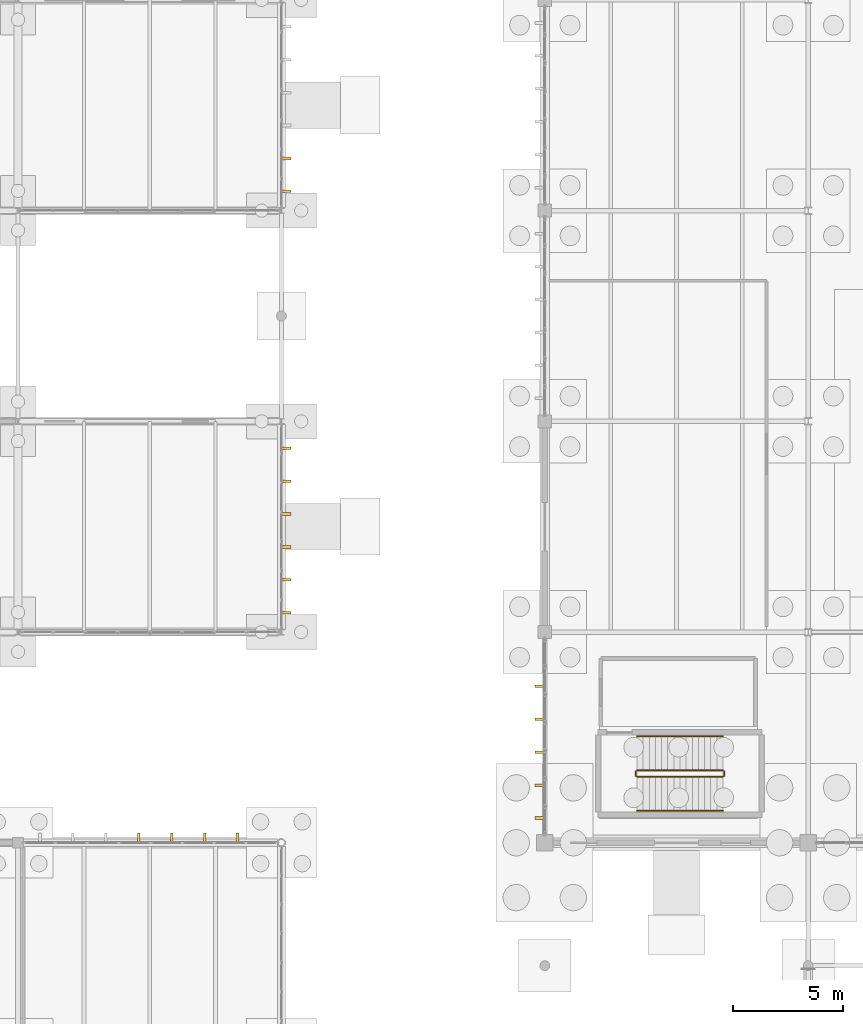
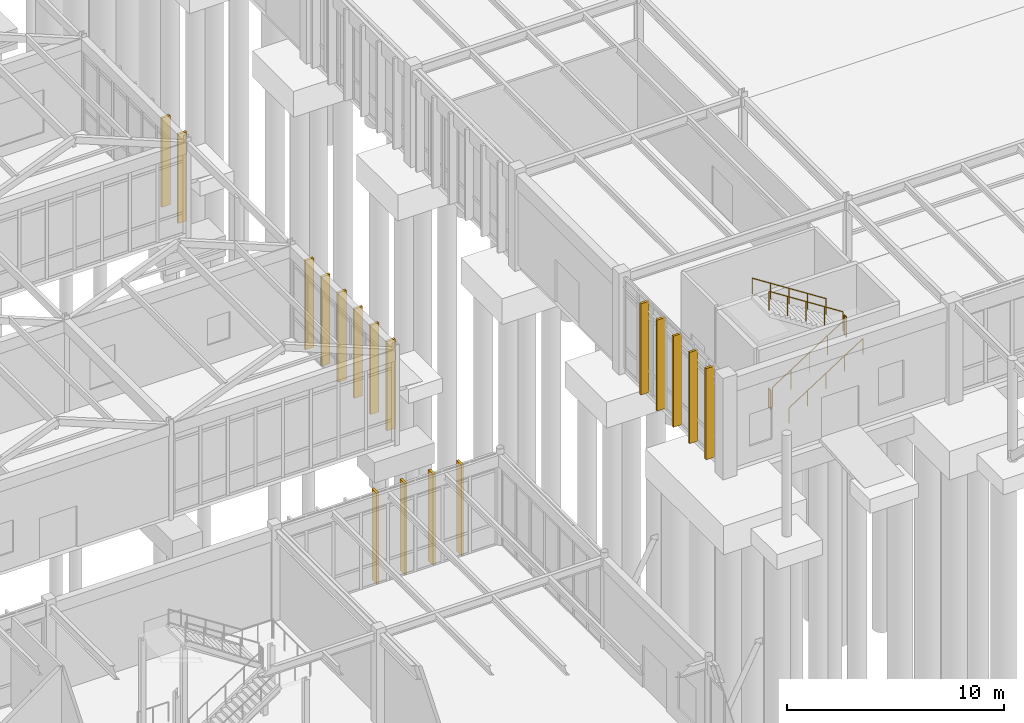
# One storey, part 173 of 188: 17 shading devices, 6 railings.
"""IFC4 building model written with IfcOpenShell, lengths in metres."""

from ifc_helpers import new_model, si_unit, direction, frame, origin, origin_2d, place, context, subcontext, project, spatial, rectangle, circle, extrude, material, type_object, element, save


model = new_model("IFC4")

# Units and contexts
model_context = context("Model", 3, precision=1e-05, world=origin(), true_north=direction((0.0, 1.0)))
body_context = subcontext(model_context, "Body", "Model", "MODEL_VIEW")
ifc_project = project(units=[si_unit("LENGTHUNIT", "METRE"), si_unit("AREAUNIT", "SQUARE_METRE"), si_unit("VOLUMEUNIT", "CUBIC_METRE"), si_unit("PLANEANGLEUNIT", "RADIAN"), si_unit("MASSUNIT", "GRAM", prefix="KILO")], contexts=[model_context])

# Site, building, storey
site_placement = place(None, origin())
site = spatial("IfcSite", under=ifc_project, at=site_placement, CompositionType="ELEMENT")
building_placement = place(site_placement, origin())
building = spatial("IfcBuilding", under=site, at=building_placement, Name="Pandanus Reach Market Hall", CompositionType="ELEMENT")
storey_placement = place(building_placement, origin())
storey = spatial("IfcBuildingStorey", under=building, at=storey_placement, Name="L00", CompositionType="ELEMENT", Elevation=0.0)

# Shading devices
ifc_material_1 = material(Name="Precast concrete S50 (50 MPa)", Category="concrete")
shading_device_type = type_object("IfcShadingDeviceType", Name="FN-S50-450", PredefinedType="JALOUSIE", material=ifc_material_1)
for number, where, z_axis, x_axis, name in (
    (1, (47.780029296875, 29.925048828125, -0.010009765625), (0.0, 0.0, 1.0), (-1.0, 0.0, 0.0), "Precast brise-soleil fin 64"),
    (2, (47.780029296875, 31.425048828125, -0.010009765625), (0.0, 0.0, 1.0), (-1.0, 0.0, 0.0), "Precast brise-soleil fin 65"),
    (3, (47.780029296875, 32.925048828125, -0.010009765625), (0.0, 0.0, 1.0), (-1.0, 0.0, 0.0), "Precast brise-soleil fin 66"),
    (4, (47.780029296875, 34.425048828125, -0.010009765625), (0.0, 0.0, 1.0), (-1.0, 0.0, 0.0), "Precast brise-soleil fin 67"),
    (5, (47.780029296875, 35.925048828125, -0.010009765625), (0.0, 0.0, 1.0), (-1.0, 0.0, 0.0), "Precast brise-soleil fin 68"),
):
    element("IfcShadingDevice", number, at=place(storey_placement, frame(where, z_axis=z_axis, x_axis=x_axis)), inside=storey, type_object=shading_device_type, Name=name, PredefinedType="JALOUSIE", context=body_context, shape_type="SweptSolid", body=[
        extrude(rectangle(XDim=0.449951171875, YDim=0.1201171875, at=origin_2d()), origin(), (0.0, 0.0, 1.0), 5.1201171875),
    ])
for number, where, z_axis, x_axis, name in (
    (6, (36.219970703125, 39.277099609375, -0.010009765625), (0.0, 0.0, 1.0), (1.0, 0.0, 0.0), "Precast brise-soleil fin 176"),
    (7, (36.219970703125, 40.777099609375, -0.010009765625), (0.0, 0.0, 1.0), (1.0, 0.0, 0.0), "Precast brise-soleil fin 177"),
    (8, (36.219970703125, 42.277099609375, -0.010009765625), (0.0, 0.0, 1.0), (1.0, 0.0, 0.0), "Precast brise-soleil fin 178"),
    (9, (36.219970703125, 43.777099609375, -0.010009765625), (0.0, 0.0, 1.0), (1.0, 0.0, 0.0), "Precast brise-soleil fin 179"),
    (10, (36.219970703125, 45.277099609375, -0.010009765625), (0.0, 0.0, 1.0), (1.0, 0.0, 0.0), "Precast brise-soleil fin 180"),
    (11, (36.219970703125, 46.777099609375, -0.010009765625), (0.0, 0.0, 1.0), (1.0, 0.0, 0.0), "Precast brise-soleil fin 181"),
    (12, (36.219970703125, 58.47705078125, -0.010009765625), (0.0, 0.0, 1.0), (1.0, 0.0, 0.0), "Precast brise-soleil fin 182"),
    (13, (36.219970703125, 59.97705078125, -0.010009765625), (0.0, 0.0, 1.0), (1.0, 0.0, 0.0), "Precast brise-soleil fin 183"),
):
    element("IfcShadingDevice", number, at=place(storey_placement, frame(where, z_axis=z_axis, x_axis=x_axis)), inside=storey, type_object=shading_device_type, Name=name, PredefinedType="JALOUSIE", context=body_context, shape_type="SweptSolid", body=[
        extrude(rectangle(XDim=0.449951171875, YDim=0.1201171875, at=origin_2d()), origin(), (0.0, 0.0, 1.0), 5.02001953125),
    ])
for number, where, z_axis, x_axis, name in (
    (14, (29.5, 29.02001953125, -0.010009765625), (0.0, 0.0, 1.0), (0.0, 1.0, 0.0), "Precast brise-soleil fin 204"),
    (15, (31.0, 29.02001953125, -0.010009765625), (0.0, 0.0, 1.0), (0.0, 1.0, 0.0), "Precast brise-soleil fin 205"),
    (16, (32.5, 29.02001953125, -0.010009765625), (0.0, 0.0, 1.0), (0.0, 1.0, 0.0), "Precast brise-soleil fin 206"),
    (17, (34.0, 29.02001953125, -0.010009765625), (0.0, 0.0, 1.0), (0.0, 1.0, 0.0), "Precast brise-soleil fin 207"),
):
    element("IfcShadingDevice", number, at=place(storey_placement, frame(where, z_axis=z_axis, x_axis=x_axis)), inside=storey, type_object=shading_device_type, Name=name, PredefinedType="JALOUSIE", context=body_context, shape_type="SweptSolid", body=[
        extrude(rectangle(XDim=0.449951171875, YDim=0.1201171875, at=origin_2d()), origin(), (0.0, 0.0, 1.0), 5.1201171875),
    ])

# Railings
ifc_material_2 = material(Name="Galvanised steel Grade 350 (350 MPa)", Category="steel")
railing_type_1 = type_object("IfcRailingType", Name="GR-INT-110", PredefinedType="GUARDRAIL", material=ifc_material_2)
railing_1_placement = place(storey_placement, frame((52.199951171875, 31.800048828125, 0.179931640625)))
element("IfcRailing", 18, at=railing_1_placement, inside=storey, type_object=railing_type_1, Name="Stair guard ST-07 L00.133", PredefinedType="GUARDRAIL", context=body_context, shape_type="SweptSolid", body=[
    extrude(circle(Radius=0.02392578125, at=origin_2d()), frame((0.0, 0.0, 1.076171875), z_axis=(0.841186985886, 0.0, 0.540744352514), x_axis=(0.0, 1.0, 0.0)), (0.0, 0.0, 1.0), 4.660400390625),
    extrude(circle(Radius=0.02099609375, at=origin_2d()), origin(), (0.0, 0.0, 1.0), 1.052001953125),
    extrude(circle(Radius=0.02099609375, at=origin_2d()), frame((0.97998046875, 0.0, 0.6298828125)), (0.0, 0.0, 1.0), 1.052001953125),
    extrude(circle(Radius=0.02099609375, at=origin_2d()), frame((1.9599609375, 0.0, 1.260009765625)), (0.0, 0.0, 1.0), 1.052001953125),
    extrude(circle(Radius=0.02099609375, at=origin_2d()), frame((2.940185546875, 0.0, 1.89013671875)), (0.0, 0.0, 1.0), 1.052001953125),
    extrude(circle(Radius=0.02099609375, at=origin_2d()), frame((3.920166015625, 0.0, 2.52001953125)), (0.0, 0.0, 1.0), 1.052001953125),
])
railing_2_placement = place(storey_placement, frame((56.169921875, 31.85009765625, 2.699951171875)))
element("IfcRailing", 19, at=railing_2_placement, inside=storey, type_object=railing_type_1, Name="Stair guard ST-07 L00.134", PredefinedType="GUARDRAIL", context=body_context, shape_type="SweptSolid", body=[
    extrude(circle(Radius=0.02392578125, at=origin_2d()), frame((0.0, 0.0, 1.076171875), z_axis=(0.0, 1.0, 0.0), x_axis=(-1.0, 0.0, 0.0)), (0.0, 0.0, 1.0), 0.199951171875),
    extrude(circle(Radius=0.02099609375, at=origin_2d()), origin(), (0.0, 0.0, 1.0), 1.052001953125),
    extrude(circle(Radius=0.02099609375, at=origin_2d()), frame((0.0, 0.199951171875, 0.0)), (0.0, 0.0, 1.0), 1.052001953125),
])
railing_3_placement = place(storey_placement, frame((56.1201171875, 32.10009765625, 2.8798828125)))
element("IfcRailing", 20, at=railing_3_placement, inside=storey, type_object=railing_type_1, Name="Stair guard ST-07 L00.135", PredefinedType="GUARDRAIL", context=body_context, shape_type="SweptSolid", body=[
    extrude(circle(Radius=0.02392578125, at=origin_2d()), frame((0.0, 0.0, 1.076171875), z_axis=(-0.841186985886, 0.0, 0.540744352514), x_axis=(0.0, -1.0, 0.0)), (0.0, 0.0, 1.0), 4.660400390625),
    extrude(circle(Radius=0.02099609375, at=origin_2d()), origin(), (0.0, 0.0, 1.0), 1.052001953125),
    extrude(circle(Radius=0.02099609375, at=origin_2d()), frame((-0.97998046875, 0.0, 0.6298828125)), (0.0, 0.0, 1.0), 1.052001953125),
    extrude(circle(Radius=0.02099609375, at=origin_2d()), frame((-1.9599609375, 0.0, 1.260009765625)), (0.0, 0.0, 1.0), 1.052001953125),
    extrude(circle(Radius=0.02099609375, at=origin_2d()), frame((-2.940185546875, 0.0, 1.89013671875)), (0.0, 0.0, 1.0), 1.052001953125),
    extrude(circle(Radius=0.02099609375, at=origin_2d()), frame((-3.920166015625, 0.0, 2.52001953125)), (0.0, 0.0, 1.0), 1.052001953125),
])
railing_4_placement = place(storey_placement, frame((52.14990234375, 31.85009765625, 0.0)))
element("IfcRailing", 21, at=railing_4_placement, inside=storey, type_object=railing_type_1, Name="Stair guard ST-07 L00.136", PredefinedType="GUARDRAIL", context=body_context, shape_type="SweptSolid", body=[
    extrude(circle(Radius=0.02392578125, at=origin_2d()), frame((0.0, 0.0, 1.076171875), z_axis=(0.0, 1.0, 0.0), x_axis=(-1.0, 0.0, 0.0)), (0.0, 0.0, 1.0), 0.199951171875),
    extrude(circle(Radius=0.02099609375, at=origin_2d()), origin(), (0.0, 0.0, 1.0), 1.052001953125),
    extrude(circle(Radius=0.02099609375, at=origin_2d()), frame((0.0, 0.199951171875, 0.0)), (0.0, 0.0, 1.0), 1.052001953125),
])
ifc_material_3 = material(Name="Brushed stainless steel", Category="steel")
railing_type_2 = type_object("IfcRailingType", Name="HR-WAL-090", PredefinedType="HANDRAIL", material=ifc_material_3)
railing_5_placement = place(storey_placement, frame((52.199951171875, 30.25, 0.179931640625)))
element("IfcRailing", 22, at=railing_5_placement, inside=storey, type_object=railing_type_2, Name="Stair handrail ST-07 L00.137", PredefinedType="HANDRAIL", context=body_context, shape_type="SweptSolid", body=[
    extrude(circle(Radius=0.02392578125, at=origin_2d()), frame((0.0, 0.0, 0.8759765625), z_axis=(0.841186985886, 0.0, 0.540744352514), x_axis=(0.0, 1.0, 0.0)), (0.0, 0.0, 1.0), 4.660400390625),
    extrude(circle(Radius=0.02099609375, at=origin_2d()), origin(), (0.0, 0.0, 1.0), 0.851806640625),
    extrude(circle(Radius=0.02099609375, at=origin_2d()), frame((0.97998046875, 0.0, 0.6298828125)), (0.0, 0.0, 1.0), 0.851806640625),
    extrude(circle(Radius=0.02099609375, at=origin_2d()), frame((1.9599609375, 0.0, 1.260009765625)), (0.0, 0.0, 1.0), 0.851806640625),
    extrude(circle(Radius=0.02099609375, at=origin_2d()), frame((2.940185546875, 0.0, 1.89013671875)), (0.0, 0.0, 1.0), 0.851806640625),
    extrude(circle(Radius=0.02099609375, at=origin_2d()), frame((3.920166015625, 0.0, 2.52001953125)), (0.0, 0.0, 1.0), 0.851806640625),
])
railing_6_placement = place(storey_placement, frame((56.1201171875, 33.64990234375, 2.8798828125)))
element("IfcRailing", 23, at=railing_6_placement, inside=storey, type_object=railing_type_2, Name="Stair handrail ST-07 L00.138", PredefinedType="HANDRAIL", context=body_context, shape_type="SweptSolid", body=[
    extrude(circle(Radius=0.02392578125, at=origin_2d()), frame((0.0, 0.0, 0.8759765625), z_axis=(-0.841186985886, 0.0, 0.540744352514), x_axis=(0.0, -1.0, 0.0)), (0.0, 0.0, 1.0), 4.660400390625),
    extrude(circle(Radius=0.02099609375, at=origin_2d()), origin(), (0.0, 0.0, 1.0), 0.851806640625),
    extrude(circle(Radius=0.02099609375, at=origin_2d()), frame((-0.97998046875, 0.0, 0.6298828125)), (0.0, 0.0, 1.0), 0.851806640625),
    extrude(circle(Radius=0.02099609375, at=origin_2d()), frame((-1.9599609375, 0.0, 1.260009765625)), (0.0, 0.0, 1.0), 0.851806640625),
    extrude(circle(Radius=0.02099609375, at=origin_2d()), frame((-2.940185546875, 0.0, 1.89013671875)), (0.0, 0.0, 1.0), 0.851806640625),
    extrude(circle(Radius=0.02099609375, at=origin_2d()), frame((-3.920166015625, 0.0, 2.52001953125)), (0.0, 0.0, 1.0), 0.851806640625),
])

save(model, "model.ifc")
